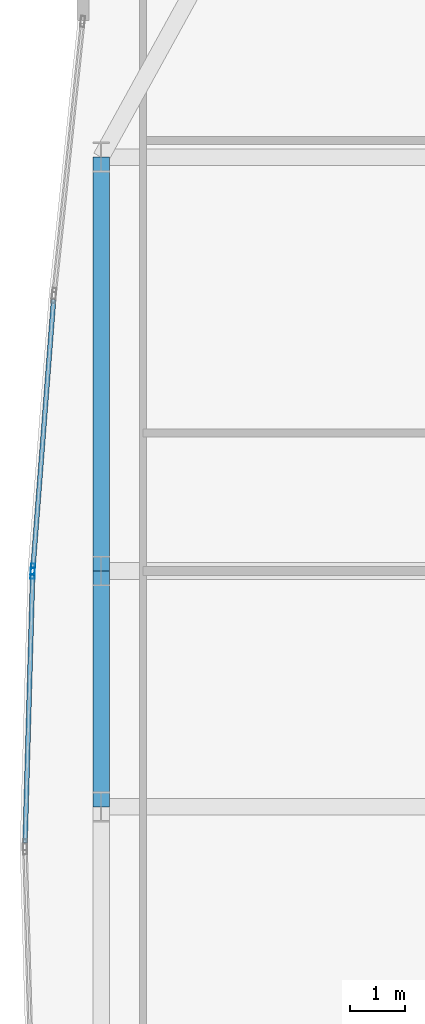
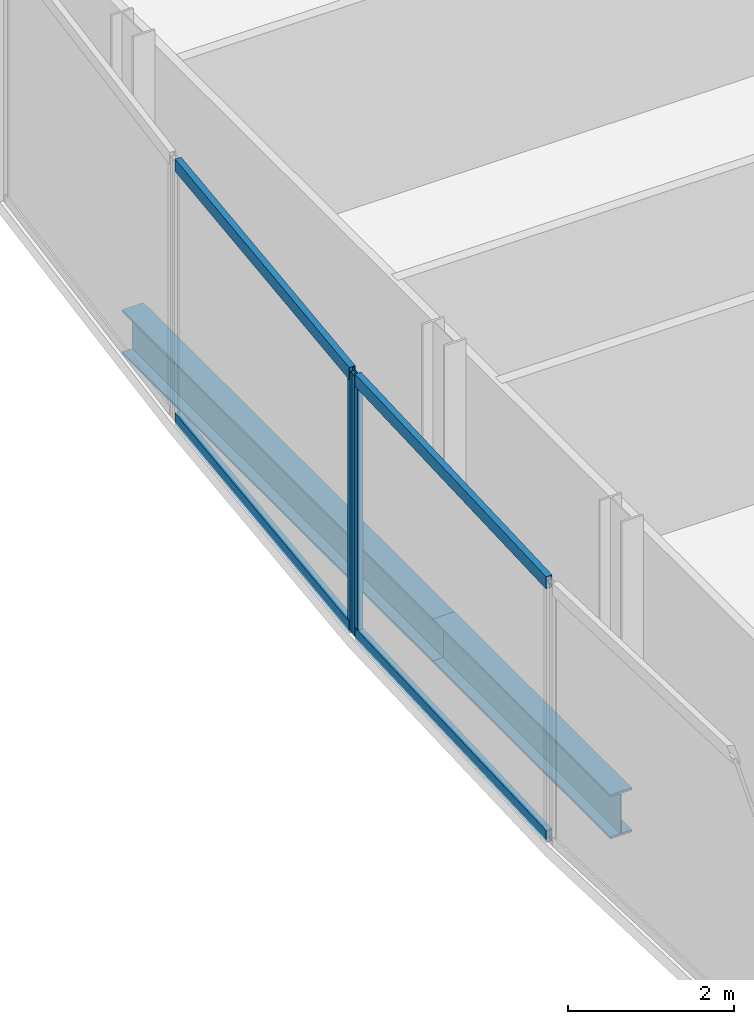
# One storey, part 11 of 30: 6 members, 2 beams, 2 elements without a shape of their own.
"""IFC4 building model written with IfcOpenShell, lengths in metres."""

from ifc_helpers import new_model, si_unit, direction, frame, origin, origin_2d, place, context, subcontext, project, spatial, hollow_rectangle, i_section, extrude, material, material_profile, profile_set, type_object, element, aggregate, save


model = new_model("IFC4")

# Units and contexts
model_context = context("Model", 3, precision=1e-05, world=origin(), true_north=direction((0.0, 1.0)))
body_context = subcontext(model_context, "Body", "Model", "MODEL_VIEW")
ifc_project = project(units=[si_unit("LENGTHUNIT", "METRE"), si_unit("AREAUNIT", "SQUARE_METRE"), si_unit("VOLUMEUNIT", "CUBIC_METRE"), si_unit("PLANEANGLEUNIT", "RADIAN"), si_unit("MASSUNIT", "GRAM", prefix="KILO")], contexts=[model_context])

# Site, building, storey
site_placement = place(None, origin())
site = spatial("IfcSite", under=ifc_project, at=site_placement, CompositionType="ELEMENT")
building_placement = place(site_placement, origin())
building = spatial("IfcBuilding", under=site, at=building_placement, Name="Khoronbel Lancet Exchange", CompositionType="ELEMENT")
storey_placement = place(building_placement, frame((0.0, 0.0, 98.60009765625)))
storey = spatial("IfcBuildingStorey", under=building, at=storey_placement, Name="L23", CompositionType="ELEMENT", Elevation=98.60009765625)

# Beams
ifc_material_1 = material(Name="Steel S355", Category="steel")
ifc_material_profile_1 = material_profile(ifc_material_1, i_section(OverallWidth=0.300048828125, OverallDepth=0.64990234375, WebThickness=0.01611328125, FlangeThickness=0.031005859375, at=origin_2d()), Name="HEB 650")
ifc_profile_set_1 = profile_set([ifc_material_profile_1], Name="Steel S355")
beam_type = type_object("IfcBeamType", Name="BM-BSP1", PredefinedType="SPANDREL", material=ifc_profile_set_1)
beam_1_placement = place(storey_placement, frame((3.27001953125, 43.199951171875, -0.505126953125), z_axis=(0.0, -1.0, 0.0), x_axis=(1.0, 0.0, 0.0)))
element("IfcBeam", 1, at=beam_1_placement, inside=storey, type_object=beam_type, Name="Level L23 perimeter spandrel beam SP17", PredefinedType="SPANDREL", context=body_context, shape_type="SweptSolid", body=[
    extrude(i_section(OverallWidth=0.300048828125, OverallDepth=0.64990234375, WebThickness=0.01611328125, FlangeThickness=0.031005859375, at=origin_2d()), origin(), (0.0, 0.0, 1.0), 7.5),
])
beam_2_placement = place(storey_placement, frame((3.27001953125, 35.699951171875, -0.505126953125), z_axis=(0.0, -1.0, 0.0), x_axis=(1.0, 0.0, 0.0)))
element("IfcBeam", 2, at=beam_2_placement, inside=storey, type_object=beam_type, Name="Level L23 perimeter spandrel beam SP18", PredefinedType="SPANDREL", context=body_context, shape_type="SweptSolid", body=[
    extrude(i_section(OverallWidth=0.300048828125, OverallDepth=0.64990234375, WebThickness=0.01611328125, FlangeThickness=0.031005859375, at=origin_2d()), origin(), (0.0, 0.0, 1.0), 4.27490234375),
])

# Curtain wall, member
ifc_material_2 = material(Name="Low-E Solar Control Insulating Glass", Category="glass")
curtain_wall_type = type_object("IfcCurtainWallType", Name="CW-4", PredefinedType="NOTDEFINED", material=ifc_material_2)
curtain_wall_1_placement = place(storey_placement, origin())
curtain_wall_1 = element("IfcCurtainWall", 3, at=curtain_wall_1_placement, inside=storey, type_object=curtain_wall_type, Name="Unitised curtain wall CW-L23-E07", PredefinedType="NOTDEFINED")
ifc_material_3 = material(Name="Bronze-Anodised Aluminium 6063-T6", Category="aluminium")
ifc_material_profile_2 = material_profile(ifc_material_3, hollow_rectangle(XDim=0.074951171875, YDim=0.199951171875, WallThickness=0.0048828125, at=origin_2d()), Name="ALU MULLION 75x200")
ifc_profile_set_2 = profile_set([ifc_material_profile_2], Name="Bronze-Anodised Aluminium 6063-T6")
member_type_1 = type_object("IfcMemberType", Name="MEM-CWM2", PredefinedType="MULLION", material=ifc_profile_set_2)
member_1_placement = place(storey_placement, frame((2.029541015625, 35.65771484375, 0.0), z_axis=(0.0, 0.0, 1.0), x_axis=(-0.999604123662, 0.028135315146, 0.0)))
member_1 = element("IfcMember", 4, at=member_1_placement, type_object=member_type_1, Name="CW4 mullion 2", PredefinedType="MULLION", context=body_context, shape_type="SweptSolid", body=[
    extrude(hollow_rectangle(XDim=0.074951171875, YDim=0.199951171875, WallThickness=0.0048828125, at=origin_2d()), origin(), (0.0, 0.0, 1.0), 3.81982421875),
])

curtain_wall_2_placement = place(storey_placement, origin())
curtain_wall_2 = element("IfcCurtainWall", 5, at=curtain_wall_2_placement, inside=storey, type_object=curtain_wall_type, Name="Unitised curtain wall CW-L23-E08", PredefinedType="NOTDEFINED")
member_2_placement = place(storey_placement, frame((2.033447265625, 35.732666015625, 0.0), z_axis=(0.0, 0.0, 1.0), x_axis=(-0.997059882555, 0.076626304874, 0.0)))
member_2 = element("IfcMember", 6, at=member_2_placement, type_object=member_type_1, Name="CW4 mullion 1", PredefinedType="MULLION", context=body_context, shape_type="SweptSolid", body=[
    extrude(hollow_rectangle(XDim=0.074951171875, YDim=0.199951171875, WallThickness=0.0048828125, at=origin_2d()), origin(), (0.0, 0.0, 1.0), 3.81982421875),
])

# Member
ifc_material_profile_3 = material_profile(ifc_material_3, hollow_rectangle(XDim=0.0849609375, YDim=0.179931640625, WallThickness=0.0048828125, at=origin_2d()), Name="ALU TRANSOM 85x180")
ifc_profile_set_3 = profile_set([ifc_material_profile_3], Name="Bronze-Anodised Aluminium 6063-T6")
member_type_2 = type_object("IfcMemberType", Name="MEM-CWT1", PredefinedType="USERDEFINED", material=ifc_profile_set_3)
member_3_placement = place(storey_placement, frame((1.89208984375, 30.77490234375, 0.04248046875), z_axis=(0.028154300716, 0.999603589105, 0.0), x_axis=(-0.999603589105, 0.028154300716, 0.0)))
member_3 = element("IfcMember", 7, at=member_3_placement, type_object=member_type_2, Name="CW4 transom 1.1", ObjectType="TRANSOM", PredefinedType="USERDEFINED", context=body_context, shape_type="SweptSolid", body=[
    extrude(hollow_rectangle(XDim=0.0849609375, YDim=0.179931640625, WallThickness=0.0048828125, at=origin_2d()), origin(), (0.0, 0.0, 1.0), 4.847412109375),
])

member_4_placement = place(storey_placement, frame((1.89208984375, 30.77490234375, 3.77734375), z_axis=(0.028154300716, 0.999603589105, 0.0), x_axis=(-0.999603589105, 0.028154300716, 0.0)))
member_4 = element("IfcMember", 8, at=member_4_placement, type_object=member_type_2, Name="CW4 transom 1.2", ObjectType="TRANSOM", PredefinedType="USERDEFINED", context=body_context, shape_type="SweptSolid", body=[
    extrude(hollow_rectangle(XDim=0.0849609375, YDim=0.179931640625, WallThickness=0.0048828125, at=origin_2d()), origin(), (0.0, 0.0, 1.0), 4.847412109375),
])

aggregate(curtain_wall_1, [member_1, member_3, member_4])

member_5_placement = place(storey_placement, frame((2.036376953125, 35.77001953125, 0.04248046875), z_axis=(0.076635053626, 0.997059210155, 0.0), x_axis=(-0.997059210155, 0.076635053626, 0.0)))
member_5 = element("IfcMember", 9, at=member_5_placement, type_object=member_type_2, Name="CW4 transom 1.1", ObjectType="TRANSOM", PredefinedType="USERDEFINED", context=body_context, shape_type="SweptSolid", body=[
    extrude(hollow_rectangle(XDim=0.0849609375, YDim=0.179931640625, WallThickness=0.0048828125, at=origin_2d()), origin(), (0.0, 0.0, 1.0), 4.861572265625),
])

member_6_placement = place(storey_placement, frame((2.036376953125, 35.77001953125, 3.77734375), z_axis=(0.076635053626, 0.997059210155, 0.0), x_axis=(-0.997059210155, 0.076635053626, 0.0)))
member_6 = element("IfcMember", 10, at=member_6_placement, type_object=member_type_2, Name="CW4 transom 1.2", ObjectType="TRANSOM", PredefinedType="USERDEFINED", context=body_context, shape_type="SweptSolid", body=[
    extrude(hollow_rectangle(XDim=0.0849609375, YDim=0.179931640625, WallThickness=0.0048828125, at=origin_2d()), origin(), (0.0, 0.0, 1.0), 4.861572265625),
])

aggregate(curtain_wall_2, [member_2, member_5, member_6])

save(model, "model.ifc")
